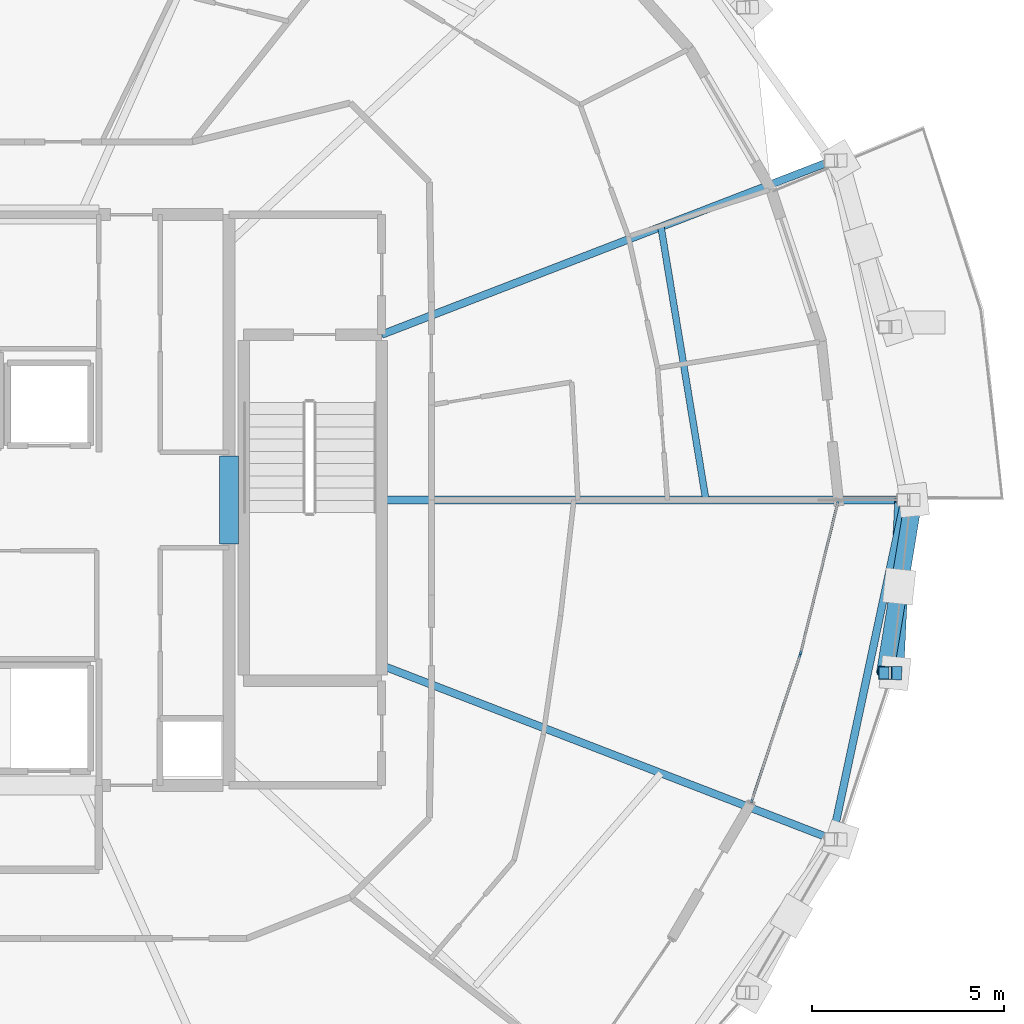
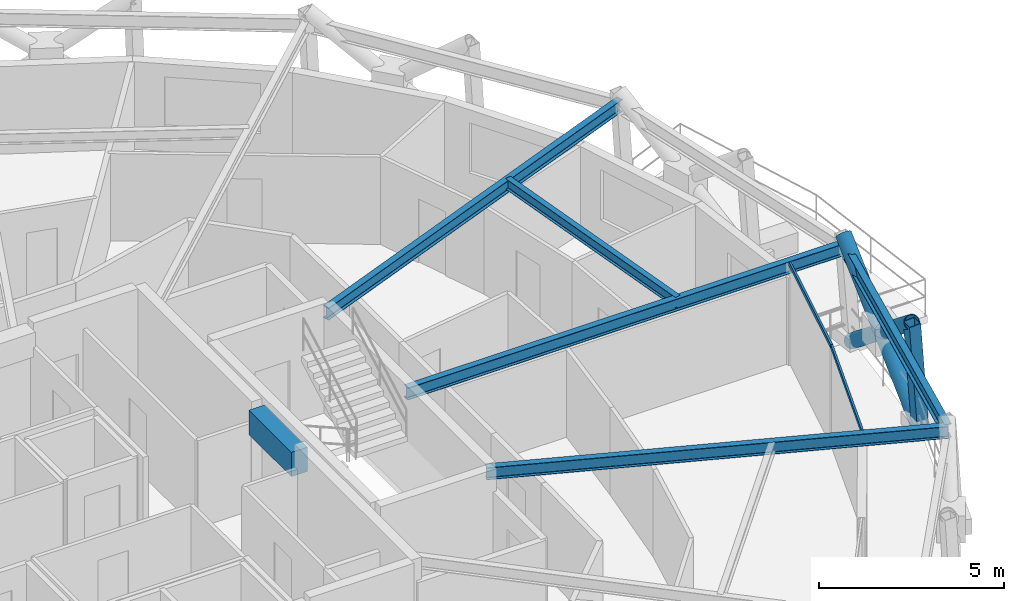
# One storey, part 3 of 12: 6 beams, 6 members, 1 element without a shape of its own.
"""IFC4 building model written with IfcOpenShell, lengths in metres."""

from ifc_helpers import new_model, si_unit, direction, frame, origin, origin_2d, place, context, subcontext, project, spatial, rectangle, hollow_rectangle, hollow_circle, i_section, extrude, material, layer, layer_set, material_profile, profile_set, type_object, element, aggregate, save


model = new_model("IFC4")

# Units and contexts
model_context = context("Model", 3, precision=1e-05, world=origin(), true_north=direction((0.0, 1.0)))
body_context = subcontext(model_context, "Body", "Model", "MODEL_VIEW")
ifc_project = project(units=[si_unit("LENGTHUNIT", "METRE"), si_unit("AREAUNIT", "SQUARE_METRE"), si_unit("VOLUMEUNIT", "CUBIC_METRE"), si_unit("PLANEANGLEUNIT", "RADIAN"), si_unit("MASSUNIT", "GRAM", prefix="KILO")], contexts=[model_context])

# Site, building, storey
site_placement = place(None, origin())
site = spatial("IfcSite", under=ifc_project, at=site_placement, CompositionType="ELEMENT")
building_placement = place(site_placement, origin())
building = spatial("IfcBuilding", under=site, at=building_placement, Name="Veldorina Hangang Commons", CompositionType="ELEMENT")
storey_placement = place(building_placement, frame((0.0, 0.0, 222.0)))
storey = spatial("IfcBuildingStorey", under=building, at=storey_placement, Name="L57", CompositionType="ELEMENT", Elevation=222.0)

# Beams
ifc_material_1 = material(Name="Concrete C50/60", Category="concrete")
ifc_material_profile_1 = material_profile(ifc_material_1, rectangle(XDim=0.5, YDim=0.800048828125, at=origin_2d()), Name="RC-CB-500x800")
ifc_profile_set_1 = profile_set([ifc_material_profile_1], Name="Concrete C50/60")
beam_type_1 = type_object("IfcBeamType", Name="BM-CB800", PredefinedType="LINTEL", material=ifc_profile_set_1)
beam_1_placement = place(storey_placement, frame((39.199951171875, 22.85009765625, 2.9599609375), z_axis=(0.0, 1.0, 0.0), x_axis=(-1.0, 0.0, 0.0)))
element("IfcBeam", 1, at=beam_1_placement, inside=storey, type_object=beam_type_1, Name="L57 E core coupling lintel beam", PredefinedType="LINTEL", context=body_context, shape_type="SweptSolid", body=[
    extrude(rectangle(XDim=0.5, YDim=0.800048828125, at=origin_2d()), origin(), (0.0, 0.0, 1.0), 2.2998046875),
])
ifc_material_2 = material(Name="Steel SM355-TMC", Category="steel")
ifc_material_profile_2 = material_profile(ifc_material_2, i_section(OverallWidth=0.199951171875, OverallDepth=0.39990234375, WebThickness=0.008056640625, FlangeThickness=0.012939453125, FilletRadius=0.012939453125, at=origin_2d()), Name="H-400x200x8x13")
ifc_profile_set_2 = profile_set([ifc_material_profile_2], Name="Steel SM355-TMC")
beam_type_2 = type_object("IfcBeamType", Name="BM-FG400", PredefinedType="BEAM", material=ifc_profile_set_2)
beam_2_placement = place(storey_placement, frame((43.179931640625, 24.0, 3.159912109375), z_axis=(1.0, 0.0, 0.0), x_axis=(0.0, 1.0, 0.0)))
element("IfcBeam", 2, at=beam_2_placement, inside=storey, type_object=beam_type_2, Name="L57 radial floor girder 01", PredefinedType="BEAM", context=body_context, shape_type="SweptSolid", body=[
    extrude(i_section(OverallWidth=0.199951171875, OverallDepth=0.39990234375, WebThickness=0.008056640625, FlangeThickness=0.012939453125, FilletRadius=0.012939453125, at=origin_2d()), origin(), (0.0, 0.0, 1.0), 13.65478515625),
])
for number, where, z_axis, x_axis, name in (
    (3, (43.179931640625, 28.315673828125, 3.159912109375), (0.932913317312, 0.360101016913, 0.0), (-0.360101016913, 0.932913317312, 0.0), "L57 radial floor girder 02"),
    (4, (43.179931640625, 19.684326171875, 3.159912109375), (0.932913317312, -0.360101016913, 0.0), (0.360101016913, 0.932913317312, 0.0), "L57 radial floor girder 16"),
):
    element("IfcBeam", number, at=place(storey_placement, frame(where, z_axis=z_axis, x_axis=x_axis)), inside=storey, type_object=beam_type_2, Name=name, PredefinedType="BEAM", context=body_context, shape_type="SweptSolid", body=[
        extrude(i_section(OverallWidth=0.199951171875, OverallDepth=0.39990234375, WebThickness=0.008056640625, FlangeThickness=0.012939453125, FilletRadius=0.012939453125, at=origin_2d()), origin(), (0.0, 0.0, 1.0), 12.6103515625),
    ])
ifc_material_profile_3 = material_profile(ifc_material_2, i_section(OverallWidth=0.175048828125, OverallDepth=0.35009765625, WebThickness=0.007080078125, FlangeThickness=0.010986328125, FilletRadius=0.012939453125, at=origin_2d()), Name="H-350x175x7x11")
ifc_profile_set_3 = profile_set([ifc_material_profile_3], Name="Steel SM355-TMC")
beam_type_3 = type_object("IfcBeamType", Name="BM-JST350", PredefinedType="JOIST", material=ifc_profile_set_3)
beam_3_placement = place(storey_placement, frame((51.64599609375, 24.0, 3.18505859375), z_axis=(-0.162190829248, 0.986759410853, 0.0), x_axis=(-0.986759410853, -0.162190829248, 0.0)))
element("IfcBeam", 5, at=beam_3_placement, inside=storey, type_object=beam_type_3, Name="L57 secondary floor joist 01", PredefinedType="JOIST", context=body_context, shape_type="SweptSolid", body=[
    extrude(i_section(OverallWidth=0.175048828125, OverallDepth=0.35009765625, WebThickness=0.007080078125, FlangeThickness=0.010986328125, FilletRadius=0.012939453125, at=origin_2d()), origin(), (0.0, 0.0, 1.0), 7.226806640625),
])
ifc_material_profile_4 = material_profile(ifc_material_2, i_section(OverallWidth=0.199951171875, OverallDepth=0.449951171875, WebThickness=0.009033203125, FlangeThickness=0.013916015625, FilletRadius=0.01611328125, at=origin_2d()), Name="H-450x200x9x14")
ifc_profile_set_4 = profile_set([ifc_material_profile_4], Name="Steel SM355-TMC")
beam_type_4 = type_object("IfcBeamType", Name="BM-RB450", PredefinedType="BEAM", material=ifc_profile_set_4)
beam_4_placement = place(storey_placement, frame((54.9443359375, 15.143310546875, 3.135009765625), z_axis=(0.208739203826, 0.977971341495, 0.0), x_axis=(-0.977971341495, 0.208739203826, 0.0)))
element("IfcBeam", 6, at=beam_4_placement, inside=storey, type_object=beam_type_4, Name="L57 perimeter hoop ring beam 30", PredefinedType="BEAM", context=body_context, shape_type="SweptSolid", body=[
    extrude(i_section(OverallWidth=0.199951171875, OverallDepth=0.449951171875, WebThickness=0.009033203125, FlangeThickness=0.013916015625, FilletRadius=0.01611328125, at=origin_2d()), origin(), (0.0, 0.0, 1.0), 9.05615234375),
])

# Curtain wall, members
ifc_material_3 = material(Name="Glass Low-E Selective", Category="glass")
ifc_layer = layer(ifc_material_3, 0.179931640625)
ifc_layer_set = layer_set([ifc_layer], Name="Glass Low-E Selective")
curtain_wall_type = type_object("IfcCurtainWallType", Name="CW-SYS-Z3", PredefinedType="NOTDEFINED", material=ifc_layer_set)
curtain_wall_placement = place(storey_placement, origin())
curtain_wall = element("IfcCurtainWall", 7, at=curtain_wall_placement, inside=storey, type_object=curtain_wall_type, Name="L57 unitised curtain wall CW-L57-R2", PredefinedType="NOTDEFINED")
ifc_material_4 = material(Name="Aluminium Anodized AA6063-T6", Category="aluminium")
ifc_material_profile_5 = material_profile(ifc_material_4, hollow_rectangle(XDim=0.06005859375, YDim=0.139892578125, WallThickness=0.00341796875, at=origin_2d()), Name="ALU-RHS-140x60x3.5")
ifc_profile_set_5 = profile_set([ifc_material_profile_5], Name="Aluminium Anodized AA6063-T6")
member_type_1 = type_object("IfcMemberType", Name="CW-TRN-140", PredefinedType="USERDEFINED", material=ifc_profile_set_5)
member_1_placement = place(storey_placement, frame((52.829345703125, 16.103515625, 3.280029296875), z_axis=(0.314610847809, 0.949220740629, 0.0), x_axis=(-0.949220740629, 0.314610847809, 0.0)))
member_1 = element("IfcMember", 8, at=member_1_placement, type_object=member_type_1, Name="CW-L57-R2 facet 1 transom 1", ObjectType="TRANSOM", PredefinedType="USERDEFINED", context=body_context, shape_type="SweptSolid", body=[
    extrude(hollow_rectangle(XDim=0.06005859375, YDim=0.139892578125, WallThickness=0.00341796875, at=origin_2d()), origin(), (0.0, 0.0, 1.0), 4.077880859375),
])
member_2_placement = place(storey_placement, frame((54.1123046875, 19.974365234375, 3.280029296875), z_axis=(0.239528063915, 0.970889440975, 0.0), x_axis=(-0.970889440975, 0.239528063915, 0.0)))
member_2 = element("IfcMember", 9, at=member_2_placement, type_object=member_type_1, Name="CW-L57-R2 facet 2 transom 1", ObjectType="TRANSOM", PredefinedType="USERDEFINED", context=body_context, shape_type="SweptSolid", body=[
    extrude(hollow_rectangle(XDim=0.06005859375, YDim=0.139892578125, WallThickness=0.00341796875, at=origin_2d()), origin(), (0.0, 0.0, 1.0), 4.146240234375),
])
aggregate(curtain_wall, [member_1, member_2])

# Members
ifc_material_profile_6 = material_profile(ifc_material_2, hollow_circle(Radius=0.22509765625, WallThickness=0.02197265625, at=origin_2d()), Name="CHS-450x22")
ifc_profile_set_6 = profile_set([ifc_material_profile_6], Name="Steel SM355-TMC")
member_type_2 = type_object("IfcMemberType", Name="DG-CHS450", PredefinedType="BRACE", material=ifc_profile_set_6)
member_3_placement = place(storey_placement, frame((56.583984375, 19.48291015625, 0.0), z_axis=(0.037464021372, 0.781464851659, 0.622823516515), x_axis=(-0.998852818675, 0.047885766413, 0.0)))
element("IfcMember", 10, at=member_3_placement, inside=storey, type_object=member_type_2, Name="L57 continuous perimeter diagrid brace 31", PredefinedType="BRACE", context=body_context, shape_type="SweptSolid", body=[
    extrude(hollow_circle(Radius=0.22509765625, WallThickness=0.02197265625, at=origin_2d()), origin(), (0.0, 0.0, 1.0), 5.7802734375),
])
member_4_placement = place(storey_placement, frame((57.0654296875, 24.0, 0.0), z_axis=(-0.128113773437, -0.775390168024, 0.618350182653), x_axis=(0.986623623305, -0.163014802813, 0.0)))
element("IfcMember", 11, at=member_4_placement, inside=storey, type_object=member_type_2, Name="L57 split perimeter diagrid lower brace 00", PredefinedType="BRACE", context=body_context, shape_type="SweptSolid", body=[
    extrude(hollow_circle(Radius=0.22509765625, WallThickness=0.02197265625, at=origin_2d()), origin(), (0.0, 0.0, 1.0), 2.911865234375),
])
member_5_placement = place(storey_placement, frame((56.6923828125, 21.7421875, 1.800537109375), z_axis=(-0.126514817528, -0.775616371384, 0.618395702917), x_axis=(0.986956430104, -0.160987592926, 0.0)))
element("IfcMember", 12, at=member_5_placement, inside=storey, type_object=member_type_2, Name="L57 split perimeter diagrid upper brace 00", PredefinedType="BRACE", context=body_context, shape_type="SweptSolid", body=[
    extrude(hollow_circle(Radius=0.22509765625, WallThickness=0.02197265625, at=origin_2d()), origin(), (0.0, 0.0, 1.0), 2.91015625),
])
ifc_material_profile_7 = material_profile(ifc_material_2, hollow_rectangle(XDim=0.35009765625, YDim=0.35009765625, WallThickness=0.01611328125, at=origin_2d()), Name="SHS-350x350x16")
ifc_profile_set_7 = profile_set([ifc_material_profile_7], Name="Steel SM355-TMC")
member_type_3 = type_object("IfcMemberType", Name="STR-SHS350", PredefinedType="STRUT", material=ifc_profile_set_7)
member_6_placement = place(storey_placement, frame((56.583984375, 19.48291015625, 0.0), z_axis=(-0.071968044533, 0.000608752256, 0.997406752527), x_axis=(-0.00845834403, -0.999964227568, 0.0)))
element("IfcMember", 13, at=member_6_placement, inside=storey, type_object=member_type_3, Name="L57 perimeter ring node post 31", PredefinedType="STRUT", context=body_context, shape_type="SweptSolid", body=[
    extrude(hollow_rectangle(XDim=0.35009765625, YDim=0.35009765625, WallThickness=0.01611328125, at=origin_2d()), origin(), (0.0, 0.0, 1.0), 3.609375),
])

save(model, "model.ifc")
